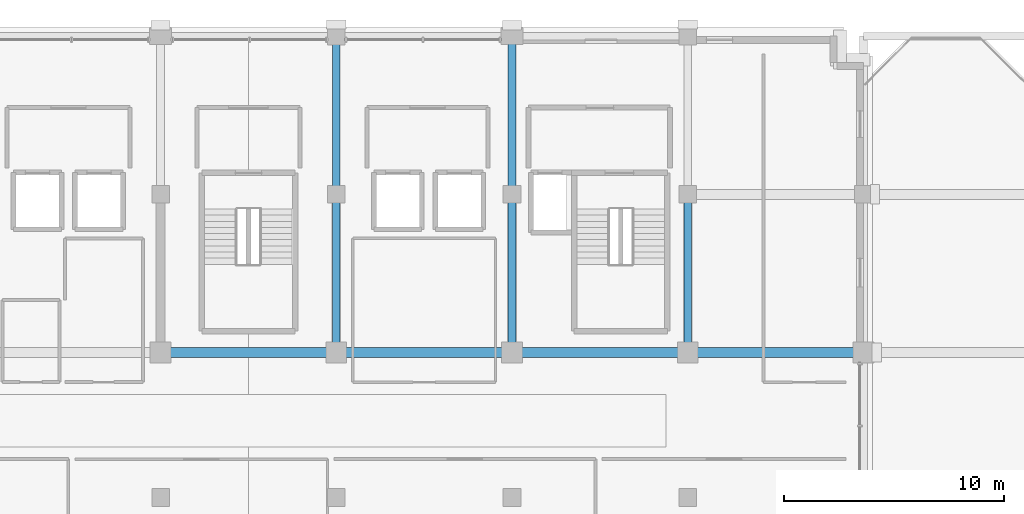
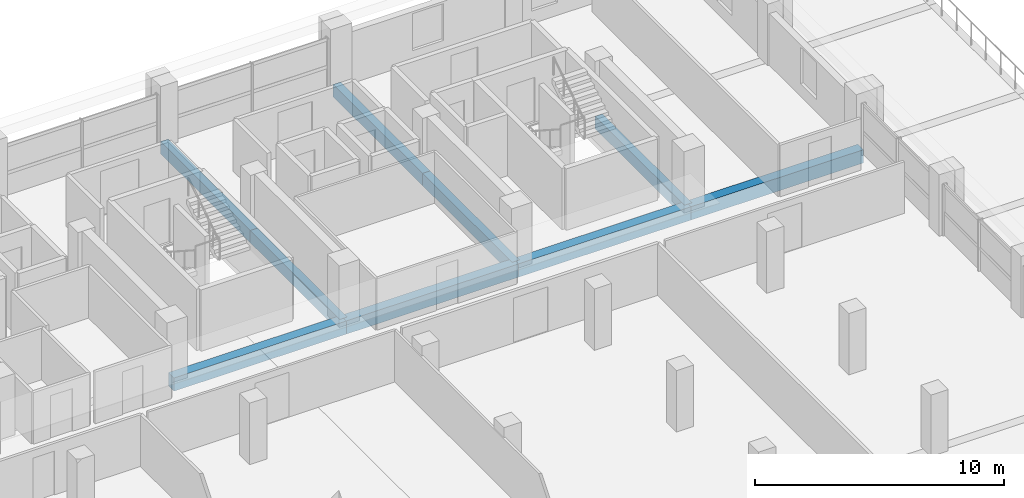
# One storey, part 13 of 22: 9 beams.
"""IFC4 building model written with IfcOpenShell, lengths in metres."""

from ifc_helpers import new_model, si_unit, direction, frame, origin, origin_2d, place, context, subcontext, project, spatial, rectangle, extrude, material, material_profile, profile_set, type_object, element, save


model = new_model("IFC4")

# Units and contexts
model_context = context("Model", 3, precision=1e-05, world=origin(), true_north=direction((0.0, 1.0)))
body_context = subcontext(model_context, "Body", "Model", "MODEL_VIEW")
ifc_project = project(units=[si_unit("LENGTHUNIT", "METRE"), si_unit("AREAUNIT", "SQUARE_METRE"), si_unit("VOLUMEUNIT", "CUBIC_METRE"), si_unit("PLANEANGLEUNIT", "RADIAN"), si_unit("MASSUNIT", "GRAM", prefix="KILO")], contexts=[model_context])

# Site, building, storey
site_placement = place(None, origin())
site = spatial("IfcSite", under=ifc_project, at=site_placement, CompositionType="ELEMENT")
building_placement = place(site_placement, origin())
building = spatial("IfcBuilding", under=site, at=building_placement, Name="Akrevak Sports Hall", CompositionType="ELEMENT")
storey_placement = place(building_placement, frame((0.0, 0.0, 40.550048828125)))
storey = spatial("IfcBuildingStorey", under=building, at=storey_placement, Name="L09", CompositionType="ELEMENT", Elevation=40.550048828125)

# Beams
ifc_material = material(Name="Concrete C40/50", Category="concrete")
ifc_material_profile_1 = material_profile(ifc_material, rectangle(XDim=0.35009765625, YDim=0.60009765625, at=origin_2d()), Name="BM 350x600", Category="concrete")
ifc_profile_set_1 = profile_set([ifc_material_profile_1], Name="Concrete C40/50")
beam_type_1 = type_object("IfcBeamType", Name="STR-BM-RC350x600", PredefinedType="BEAM", material=ifc_profile_set_1)
beam_1_placement = place(storey_placement, frame((84.0, 55.199951171875, -0.300048828125), z_axis=(0.0, 1.0, 0.0), x_axis=(-1.0, 0.0, 0.0)))
element("IfcBeam", 1, at=beam_1_placement, inside=storey, type_object=beam_type_1, Name="Girder 12/I-J (L09)", PredefinedType="BEAM", context=body_context, shape_type="SweptSolid", body=[
    extrude(rectangle(XDim=0.35009765625, YDim=0.60009765625, at=origin_2d()), origin(), (0.0, 0.0, 1.0), 7.199951171875),
])
beam_2_placement = place(storey_placement, frame((84.0, 62.39990234375, -0.300048828125), z_axis=(0.0, 1.0, 0.0), x_axis=(-1.0, 0.0, 0.0)))
element("IfcBeam", 2, at=beam_2_placement, inside=storey, type_object=beam_type_1, Name="Girder 12/J-K (L09)", PredefinedType="BEAM", context=body_context, shape_type="SweptSolid", body=[
    extrude(rectangle(XDim=0.35009765625, YDim=0.60009765625, at=origin_2d()), origin(), (0.0, 0.0, 1.0), 7.2001953125),
])
beam_3_placement = place(storey_placement, frame((92.0, 55.199951171875, -0.300048828125), z_axis=(0.0, 1.0, 0.0), x_axis=(-1.0, 0.0, 0.0)))
element("IfcBeam", 3, at=beam_3_placement, inside=storey, type_object=beam_type_1, Name="Girder 13/I-J (L09)", PredefinedType="BEAM", context=body_context, shape_type="SweptSolid", body=[
    extrude(rectangle(XDim=0.35009765625, YDim=0.60009765625, at=origin_2d()), origin(), (0.0, 0.0, 1.0), 7.199951171875),
])
beam_4_placement = place(storey_placement, frame((92.0, 62.39990234375, -0.300048828125), z_axis=(0.0, 1.0, 0.0), x_axis=(-1.0, 0.0, 0.0)))
element("IfcBeam", 4, at=beam_4_placement, inside=storey, type_object=beam_type_1, Name="Girder 13/J-K (L09)", PredefinedType="BEAM", context=body_context, shape_type="SweptSolid", body=[
    extrude(rectangle(XDim=0.35009765625, YDim=0.60009765625, at=origin_2d()), origin(), (0.0, 0.0, 1.0), 7.2001953125),
])
beam_5_placement = place(storey_placement, frame((100.0, 55.199951171875, -0.300048828125), z_axis=(0.0, 1.0, 0.0), x_axis=(-1.0, 0.0, 0.0)))
element("IfcBeam", 5, at=beam_5_placement, inside=storey, type_object=beam_type_1, Name="Girder 14/I-J (L09)", PredefinedType="BEAM", context=body_context, shape_type="SweptSolid", body=[
    extrude(rectangle(XDim=0.35009765625, YDim=0.60009765625, at=origin_2d()), origin(), (0.0, 0.0, 1.0), 7.199951171875),
])
ifc_material_profile_2 = material_profile(ifc_material, rectangle(XDim=0.449951171875, YDim=0.64990234375, at=origin_2d()), Name="BM 450x650", Category="concrete")
ifc_profile_set_2 = profile_set([ifc_material_profile_2], Name="Concrete C40/50")
beam_type_2 = type_object("IfcBeamType", Name="STR-BM-RC450x650", PredefinedType="BEAM", material=ifc_profile_set_2)
for number, where, z_axis, x_axis, name in (
    (6, (76.0, 55.199951171875, -0.324951171875), (1.0, 0.0, 0.0), (0.0, 1.0, 0.0), "Girder I/11-12 (L09)"),
    (7, (84.0, 55.199951171875, -0.324951171875), (1.0, 0.0, 0.0), (0.0, 1.0, 0.0), "Girder I/12-13 (L09)"),
    (8, (92.0, 55.199951171875, -0.324951171875), (1.0, 0.0, 0.0), (0.0, 1.0, 0.0), "Girder I/13-14 (L09)"),
    (9, (100.0, 55.199951171875, -0.324951171875), (1.0, 0.0, 0.0), (0.0, 1.0, 0.0), "Girder I/14-15 (L09)"),
):
    element("IfcBeam", number, at=place(storey_placement, frame(where, z_axis=z_axis, x_axis=x_axis)), inside=storey, type_object=beam_type_2, Name=name, PredefinedType="BEAM", context=body_context, shape_type="SweptSolid", body=[
        extrude(rectangle(XDim=0.449951171875, YDim=0.64990234375, at=origin_2d()), origin(), (0.0, 0.0, 1.0), 8.0),
    ])

save(model, "model.ifc")
